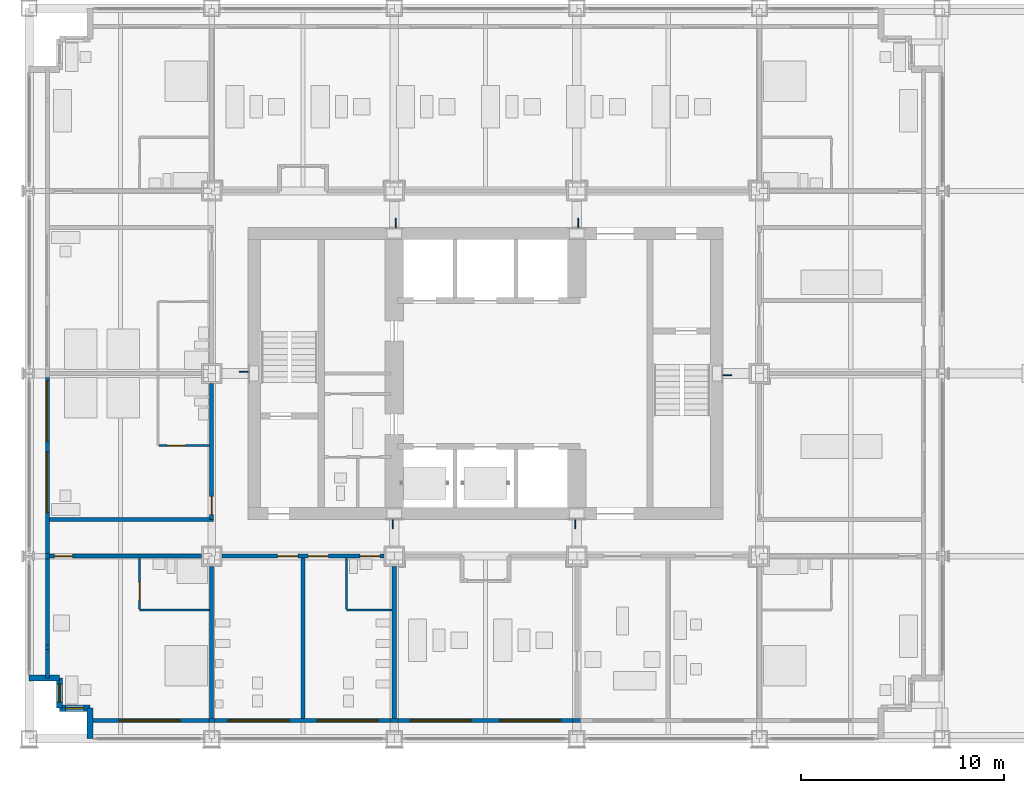
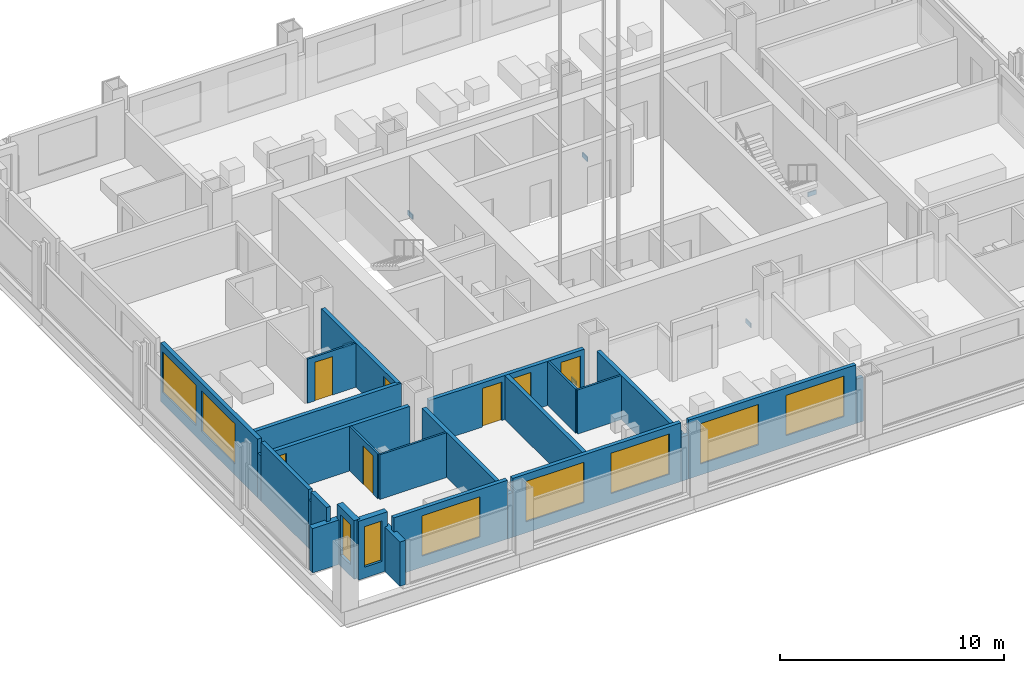
# One storey, part 10 of 19: 27 walls, 9 windows, 7 doors, 6 plates, 16 openings.
"""IFC4 building model written with IfcOpenShell, lengths in metres."""

from ifc_helpers import new_model, si_unit, direction, frame, frame_2d, origin, origin_2d, place, context, subcontext, project, spatial, rectangle, extrude, material, layer, layer_set, type_object, element, fill, save


model = new_model("IFC4")

# Units and contexts
model_context = context("Model", 3, precision=1e-05, world=origin(), true_north=direction((0.0, 1.0)))
body_context = subcontext(model_context, "Body", "Model", "MODEL_VIEW")
ifc_project = project(units=[si_unit("LENGTHUNIT", "METRE"), si_unit("AREAUNIT", "SQUARE_METRE"), si_unit("VOLUMEUNIT", "CUBIC_METRE"), si_unit("PLANEANGLEUNIT", "RADIAN"), si_unit("MASSUNIT", "GRAM", prefix="KILO")], contexts=[model_context])

# Site, building, storey
site_placement = place(None, origin())
site = spatial("IfcSite", under=ifc_project, at=site_placement, CompositionType="ELEMENT")
building_placement = place(site_placement, origin())
building = spatial("IfcBuilding", under=site, at=building_placement, Name="Loomwork Tower", CompositionType="ELEMENT")
storey_placement = place(building_placement, frame((0.0, 0.0, 94.199951171875)))
storey = spatial("IfcBuildingStorey", under=building, at=storey_placement, Name="L24", CompositionType="ELEMENT", Elevation=94.199951171875)

# Plates
ifc_material_1 = material(Name="Steel ASTM A572 Grade 50 plate", Category="steel")
ifc_layer_1 = layer(ifc_material_1, 0.050048828125)
ifc_layer_set_1 = layer_set([ifc_layer_1], Name="OUTRIGGER SHEAR PLATE 50")
plate_type = type_object("IfcPlateType", Name="OUTRIGGER SHEAR PLATE 50", PredefinedType="SHEET", material=ifc_layer_set_1)
for number, where, z_axis, x_axis, name in (
    (1, (26.922119140625, 10.575439453125, -0.61962890625), (0.0, 0.0, 1.0), (0.0, 1.0, 0.0), "Outrigger shear plate 27,9-27,11.1 L24"),
    (2, (34.424560546875, 17.922119140625, -0.61962890625), (0.0, 0.0, 1.0), (1.0, 0.0, 0.0), "Outrigger shear plate 36,18-33.9,18 L24"),
    (3, (27.077880859375, 25.424560546875, -0.61962890625), (0.0, 0.0, 1.0), (0.0, 1.0, 0.0), "Outrigger shear plate 27,27-27,24.9 L24"),
    (4, (17.922119140625, 10.575439453125, -0.61962890625), (0.0, 0.0, 1.0), (0.0, 1.0, 0.0), "Outrigger shear plate 18,9-18,11.1 L24"),
    (5, (18.077880859375, 25.424560546875, -0.61962890625), (0.0, 0.0, 1.0), (0.0, 1.0, 0.0), "Outrigger shear plate 18,27-18,24.9 L24"),
    (6, (10.575439453125, 18.077880859375, -0.61962890625), (0.0, 0.0, 1.0), (1.0, 0.0, 0.0), "Outrigger shear plate 9,18-11.1,18 L24"),
):
    element("IfcPlate", number, at=place(storey_placement, frame(where, z_axis=z_axis, x_axis=x_axis)), inside=storey, type_object=plate_type, Name=name, PredefinedType="SHEET", context=body_context, shape_type="SweptSolid", body=[
        extrude(rectangle(XDim=0.449951171875, YDim=0.050048828125, at=origin_2d()), origin(), (0.0, 0.0, 1.0), 0.239990234375),
    ])

# Wall, opening, door
ifc_material_2 = material(Name="Gypsum board on steel studs, one-hour", Category="steel")
ifc_layer_2 = layer(ifc_material_2, 0.199951171875)
ifc_layer_set_2 = layer_set([ifc_layer_2], Name="Corridor wall 200")
wall_type_1 = type_object("IfcWallType", Name="Corridor wall 200", PredefinedType="PARTITIONING", material=ifc_layer_set_2)
wall_1_placement = place(storey_placement, frame((1.0, 9.0, 0.0), z_axis=(0.0, 0.0, 1.0), x_axis=(1.0, 0.0, 0.0)))
wall_1 = element("IfcWall", 7, at=wall_1_placement, inside=storey, type_object=wall_type_1, Name="South corridor wall 1", PredefinedType="PARTITIONING", context=body_context, shape_type="SweptSolid", body=[
    extrude(rectangle(XDim=7.5, YDim=0.199951171875, at=frame_2d((3.75, 0.0))), origin(), (0.0, 0.0, 1.0), 2.43798828125),
])
opening_1_placement = place(wall_1_placement, frame((0.25, 0.0, 0.0)))
opening_1 = element("IfcOpeningElement", 8, at=opening_1_placement, cuts=wall_1, Name="Opening D1", PredefinedType="OPENING", context=body_context, shape_type="SweptSolid", body=[
    extrude(rectangle(XDim=0.89990234375, YDim=2.10009765625, at=frame_2d((0.449951171875, 1.050048828125))), frame((0.0, 0.10986328125, 0.0), z_axis=(0.0, -1.0, 0.0), x_axis=(1.0, 0.0, 0.0)), (0.0, 0.0, 1.0), 0.219970703125),
])
ifc_material_3 = material(Name="Hollow metal door and frame")
door_type_1 = type_object("IfcDoorType", Name="Guest room entry door 900", OperationType="SINGLE_SWING_LEFT", PredefinedType="DOOR", material=ifc_material_3)
door_1_placement = place(opening_1_placement, frame((0.89990234375, 0.0, 0.0), z_axis=(0.0, 0.0, 1.0), x_axis=(-1.0, 0.0, 0.0)))
door_1 = element("IfcDoor", 9, at=door_1_placement, inside=storey, type_object=door_type_1, Name="Guest room entry door L24 1", OperationType="SINGLE_SWING_RIGHT", OverallHeight=2.10009765625, OverallWidth=0.89990234375, PredefinedType="DOOR", context=body_context, shape_type="SweptSolid", body=[
    extrude(rectangle(XDim=0.89990234375, YDim=2.10009765625, at=frame_2d((0.449951171875, 1.050048828125))), frame((0.0, 0.02490234375, 0.0), z_axis=(0.0, -1.0, 0.0), x_axis=(1.0, 0.0, 0.0)), (0.0, 0.0, 1.0), 0.050048828125),
])
fill(opening_1, door_1)

# Wall, openings, doors
wall_2_placement = place(storey_placement, frame((9.5, 9.0, 0.0), z_axis=(0.0, 0.0, 1.0), x_axis=(1.0, 0.0, 0.0)))
wall_2 = element("IfcWall", 10, at=wall_2_placement, inside=storey, type_object=wall_type_1, Name="South corridor wall 2", PredefinedType="PARTITIONING", context=body_context, shape_type="SweptSolid", body=[
    extrude(rectangle(XDim=8.0, YDim=0.199951171875, at=frame_2d((4.0, 0.0))), origin(), (0.0, 0.0, 1.0), 2.405029296875),
])
opening_2_placement = place(wall_2_placement, frame((2.75, 0.0, 0.0)))
opening_2 = element("IfcOpeningElement", 11, at=opening_2_placement, cuts=wall_2, Name="Opening D8", PredefinedType="OPENING", context=body_context, shape_type="SweptSolid", body=[
    extrude(rectangle(XDim=1.0, YDim=2.10009765625, at=frame_2d((0.5, 1.050048828125))), frame((0.0, 0.10986328125, 0.0), z_axis=(0.0, -1.0, 0.0), x_axis=(1.0, 0.0, 0.0)), (0.0, 0.0, 1.0), 0.219970703125),
])
opening_3_placement = place(wall_2_placement, frame((6.800048828125, 0.0, 0.0)))
opening_3 = element("IfcOpeningElement", 12, at=opening_3_placement, cuts=wall_2, Name="Opening D8", PredefinedType="OPENING", context=body_context, shape_type="SweptSolid", body=[
    extrude(rectangle(XDim=1.0, YDim=2.10009765625, at=frame_2d((0.5, 1.050048828125))), frame((0.0, 0.10986328125, 0.0), z_axis=(0.0, -1.0, 0.0), x_axis=(1.0, 0.0, 0.0)), (0.0, 0.0, 1.0), 0.219970703125),
])
opening_4_placement = place(wall_2_placement, frame((4.25, 0.0, 0.0)))
opening_4 = element("IfcOpeningElement", 13, at=opening_4_placement, cuts=wall_2, Name="Opening D8", PredefinedType="OPENING", context=body_context, shape_type="SweptSolid", body=[
    extrude(rectangle(XDim=1.0, YDim=2.10009765625, at=frame_2d((0.5, 1.050048828125))), frame((0.0, 0.10986328125, 0.0), z_axis=(0.0, -1.0, 0.0), x_axis=(1.0, 0.0, 0.0)), (0.0, 0.0, 1.0), 0.219970703125),
])
ifc_material_4 = material(Name="Hollow metal door and frame")
door_type_2 = type_object("IfcDoorType", Name="WC door 1000", OperationType="SINGLE_SWING_LEFT", PredefinedType="DOOR", material=ifc_material_4)
door_2_placement = place(opening_2_placement, frame((1.0, 0.0, 0.0), z_axis=(0.0, 0.0, 1.0), x_axis=(-1.0, 0.0, 0.0)))
door_2 = element("IfcDoor", 14, at=door_2_placement, inside=storey, type_object=door_type_2, Name="Public WC men door L24", OperationType="SINGLE_SWING_LEFT", OverallHeight=2.10009765625, OverallWidth=1.0, PredefinedType="DOOR", context=body_context, shape_type="SweptSolid", body=[
    extrude(rectangle(XDim=1.0, YDim=2.10009765625, at=frame_2d((0.5, 1.050048828125))), frame((0.0, 0.02490234375, 0.0), z_axis=(0.0, -1.0, 0.0), x_axis=(1.0, 0.0, 0.0)), (0.0, 0.0, 1.0), 0.050048828125),
])
fill(opening_2, door_2)
door_3_placement = place(opening_3_placement, frame((1.0, 0.0, 0.0), z_axis=(0.0, 0.0, 1.0), x_axis=(-1.0, 0.0, 0.0)))
door_3 = element("IfcDoor", 15, at=door_3_placement, inside=storey, type_object=door_type_2, Name="Accessible WC door L24", OperationType="SINGLE_SWING_RIGHT", OverallHeight=2.10009765625, OverallWidth=1.0, PredefinedType="DOOR", context=body_context, shape_type="SweptSolid", body=[
    extrude(rectangle(XDim=1.0, YDim=2.10009765625, at=frame_2d((0.5, 1.050048828125))), frame((0.0, 0.02490234375, 0.0), z_axis=(0.0, -1.0, 0.0), x_axis=(1.0, 0.0, 0.0)), (0.0, 0.0, 1.0), 0.050048828125),
])
fill(opening_3, door_3)
door_4_placement = place(opening_4_placement, frame((1.0, 0.0, 0.0), z_axis=(0.0, 0.0, 1.0), x_axis=(-1.0, 0.0, 0.0)))
door_4 = element("IfcDoor", 16, at=door_4_placement, inside=storey, type_object=door_type_2, Name="Public WC women door L24", OperationType="SINGLE_SWING_RIGHT", OverallHeight=2.10009765625, OverallWidth=1.0, PredefinedType="DOOR", context=body_context, shape_type="SweptSolid", body=[
    extrude(rectangle(XDim=1.0, YDim=2.10009765625, at=frame_2d((0.5, 1.050048828125))), frame((0.0, 0.02490234375, 0.0), z_axis=(0.0, -1.0, 0.0), x_axis=(1.0, 0.0, 0.0)), (0.0, 0.0, 1.0), 0.050048828125),
])
fill(opening_4, door_4)

# Wall, opening, door
wall_3_placement = place(storey_placement, frame((9.0, 10.800048828125, 0.0), z_axis=(0.0, 0.0, 1.0), x_axis=(0.0, 1.0, 0.0)))
wall_3 = element("IfcWall", 17, at=wall_3_placement, inside=storey, type_object=wall_type_1, Name="West corridor wall 1", PredefinedType="PARTITIONING", context=body_context, shape_type="SweptSolid", body=[
    extrude(rectangle(XDim=6.699951171875, YDim=0.199951171875, at=frame_2d((3.35009765625, 0.0))), origin(), (0.0, 0.0, 1.0), 2.405029296875),
])
opening_5_placement = place(wall_3_placement, frame((0.25, 0.0, 0.0)))
opening_5 = element("IfcOpeningElement", 18, at=opening_5_placement, cuts=wall_3, Name="Opening D1", PredefinedType="OPENING", context=body_context, shape_type="SweptSolid", body=[
    extrude(rectangle(XDim=0.89990234375, YDim=2.10009765625, at=frame_2d((0.449951171875, 1.050048828125))), frame((0.0, 0.10986328125, 0.0), z_axis=(0.0, -1.0, 0.0), x_axis=(1.0, 0.0, 0.0)), (0.0, 0.0, 1.0), 0.219970703125),
])
door_5_placement = place(opening_5_placement, origin())
door_5 = element("IfcDoor", 19, at=door_5_placement, inside=storey, type_object=door_type_1, Name="Guest room entry door L24 11", OperationType="SINGLE_SWING_LEFT", OverallHeight=2.10009765625, OverallWidth=0.89990234375, PredefinedType="DOOR", context=body_context, shape_type="SweptSolid", body=[
    extrude(rectangle(XDim=0.89990234375, YDim=2.10009765625, at=frame_2d((0.449951171875, 1.050048828125))), frame((0.0, 0.02490234375, 0.0), z_axis=(0.0, -1.0, 0.0), x_axis=(1.0, 0.0, 0.0)), (0.0, 0.0, 1.0), 0.050048828125),
])
fill(opening_5, door_5)

# Walls
wall_4_placement = place(storey_placement, frame((1.0, 10.800048828125, 0.0), z_axis=(0.0, 0.0, 1.0), x_axis=(1.0, 0.0, 0.0)))
element("IfcWall", 20, at=wall_4_placement, inside=storey, type_object=wall_type_1, Name="West band end wall S", PredefinedType="PARTITIONING", context=body_context, shape_type="SweptSolid", body=[
    extrude(rectangle(XDim=8.10009765625, YDim=0.199951171875, at=frame_2d((4.050048828125, 0.0))), origin(), (0.0, 0.0, 1.0), 2.404052734375),
])
ifc_material_5 = material(Name="Cement board on steel studs", Category="steel")
ifc_layer_3 = layer(ifc_material_5, 0.10009765625)
ifc_layer_set_3 = layer_set([ifc_layer_3], Name="En-suite partition 100")
wall_type_2 = type_object("IfcWallType", Name="En-suite partition 100", PredefinedType="PARTITIONING", material=ifc_layer_set_3)
wall_5_placement = place(storey_placement, frame((5.449951171875, 6.35009765625, 0.0), z_axis=(0.0, 0.0, 1.0), x_axis=(1.0, 0.0, 0.0)))
element("IfcWall", 21, at=wall_5_placement, inside=storey, type_object=wall_type_2, Name="En-suite wall L24 room 1", PredefinedType="PARTITIONING", context=body_context, shape_type="SweptSolid", body=[
    extrude(rectangle(XDim=3.449951171875, YDim=0.10009765625, at=frame_2d((1.72509765625, 0.0))), origin(), (0.0, 0.0, 1.0), 2.43798828125),
])

# Wall, opening, door
wall_6_placement = place(storey_placement, frame((5.449951171875, 8.89990234375, 0.0), z_axis=(0.0, 0.0, 1.0), x_axis=(0.0, -1.0, 0.0)))
wall_6 = element("IfcWall", 22, at=wall_6_placement, inside=storey, type_object=wall_type_2, Name="En-suite side wall L24 room 1", PredefinedType="PARTITIONING", context=body_context, shape_type="SweptSolid", body=[
    extrude(rectangle(XDim=2.5, YDim=0.10009765625, at=frame_2d((1.25, 0.0))), origin(), (0.0, 0.0, 1.0), 2.43798828125),
])
opening_6_placement = place(wall_6_placement, frame((1.199951171875, 0.0, 0.0)))
opening_6 = element("IfcOpeningElement", 23, at=opening_6_placement, cuts=wall_6, Name="Opening D3", PredefinedType="OPENING", context=body_context, shape_type="SweptSolid", body=[
    extrude(rectangle(XDim=0.89990234375, YDim=2.10009765625, at=frame_2d((0.449951171875, 1.050048828125))), frame((0.0, 0.06005859375, 0.0), z_axis=(0.0, -1.0, 0.0), x_axis=(1.0, 0.0, 0.0)), (0.0, 0.0, 1.0), 0.1201171875),
])
ifc_material_6 = material(Name="Hollow metal door and frame")
door_type_3 = type_object("IfcDoorType", Name="Accessible en-suite door 900", OperationType="SLIDING_TO_LEFT", PredefinedType="DOOR", material=ifc_material_6)
door_6_placement = place(opening_6_placement, origin())
door_6 = element("IfcDoor", 24, at=door_6_placement, inside=storey, type_object=door_type_3, Name="Accessible en-suite door room 1", OperationType="SLIDING_TO_LEFT", OverallHeight=2.10009765625, OverallWidth=0.89990234375, PredefinedType="DOOR", context=body_context, shape_type="SweptSolid", body=[
    extrude(rectangle(XDim=0.89990234375, YDim=2.10009765625, at=frame_2d((0.449951171875, 1.050048828125))), frame((0.0, 0.02490234375, 0.0), z_axis=(0.0, -1.0, 0.0), x_axis=(1.0, 0.0, 0.0)), (0.0, 0.0, 1.0), 0.050048828125),
])
fill(opening_6, door_6)

# Walls
wall_7_placement = place(storey_placement, frame((15.64990234375, 6.35009765625, 0.0), z_axis=(0.0, 0.0, 1.0), x_axis=(1.0, 0.0, 0.0)))
element("IfcWall", 25, at=wall_7_placement, inside=storey, type_object=wall_type_2, Name="Accessible WC wall L24", PredefinedType="PARTITIONING", context=body_context, shape_type="SweptSolid", body=[
    extrude(rectangle(XDim=2.25, YDim=0.10009765625, at=frame_2d((1.125, 0.0))), origin(), (0.0, 0.0, 1.0), 2.404052734375),
])
wall_8_placement = place(storey_placement, frame((15.64990234375, 8.89990234375, 0.0), z_axis=(0.0, 0.0, 1.0), x_axis=(0.0, -1.0, 0.0)))
element("IfcWall", 26, at=wall_8_placement, inside=storey, type_object=wall_type_2, Name="Accessible WC side wall L24", PredefinedType="PARTITIONING", context=body_context, shape_type="SweptSolid", body=[
    extrude(rectangle(XDim=2.5, YDim=0.10009765625, at=frame_2d((1.25, 0.0))), origin(), (0.0, 0.0, 1.0), 2.404052734375),
])

# Wall, opening, door
wall_9_placement = place(storey_placement, frame((8.89990234375, 14.449951171875, 0.0), z_axis=(0.0, 0.0, 1.0), x_axis=(-1.0, 0.0, 0.0)))
wall_9 = element("IfcWall", 27, at=wall_9_placement, inside=storey, type_object=wall_type_2, Name="En-suite side wall L24 room 11", PredefinedType="PARTITIONING", context=body_context, shape_type="SweptSolid", body=[
    extrude(rectangle(XDim=2.5, YDim=0.10009765625, at=frame_2d((1.25, 0.0))), origin(), (0.0, 0.0, 1.0), 2.404052734375),
])
opening_7_placement = place(wall_9_placement, frame((1.199951171875, 0.0, 0.0)))
opening_7 = element("IfcOpeningElement", 28, at=opening_7_placement, cuts=wall_9, Name="Opening D2", PredefinedType="OPENING", context=body_context, shape_type="SweptSolid", body=[
    extrude(rectangle(XDim=0.89990234375, YDim=2.10009765625, at=frame_2d((0.449951171875, 1.050048828125))), frame((0.0, 0.06005859375, 0.0), z_axis=(0.0, -1.0, 0.0), x_axis=(1.0, 0.0, 0.0)), (0.0, 0.0, 1.0), 0.1201171875),
])
ifc_material_7 = material(Name="Hollow metal door and frame")
door_type_4 = type_object("IfcDoorType", Name="En-suite door 900", OperationType="SINGLE_SWING_LEFT", PredefinedType="DOOR", material=ifc_material_7)
door_7_placement = place(opening_7_placement, frame((0.89990234375, 0.0, 0.0), z_axis=(0.0, 0.0, 1.0), x_axis=(-1.0, 0.0, 0.0)))
door_7 = element("IfcDoor", 29, at=door_7_placement, inside=storey, type_object=door_type_4, Name="En-suite door room 11", OperationType="SINGLE_SWING_LEFT", OverallHeight=2.10009765625, OverallWidth=0.89990234375, PredefinedType="DOOR", context=body_context, shape_type="SweptSolid", body=[
    extrude(rectangle(XDim=0.89990234375, YDim=2.10009765625, at=frame_2d((0.449951171875, 1.050048828125))), frame((0.0, 0.02490234375, 0.0), z_axis=(0.0, -1.0, 0.0), x_axis=(1.0, 0.0, 0.0)), (0.0, 0.0, 1.0), 0.050048828125),
])
fill(opening_7, door_7)

# Walls
ifc_material_8 = material(Name="Gypsum board on steel studs, acoustic", Category="steel")
ifc_layer_4 = layer(ifc_material_8, 0.199951171875)
ifc_layer_set_4 = layer_set([ifc_layer_4], Name="Guest room party wall 200")
wall_type_3 = type_object("IfcWallType", Name="Guest room party wall 200", PredefinedType="PARTITIONING", material=ifc_layer_set_4)
wall_10_placement = place(storey_placement, frame((9.0, 8.5, 0.0), z_axis=(0.0, 0.0, 1.0), x_axis=(0.0, -1.0, 0.0)))
element("IfcWall", 30, at=wall_10_placement, inside=storey, type_object=wall_type_3, Name="Guest room party wall S 9", PredefinedType="PARTITIONING", context=body_context, shape_type="SweptSolid", body=[
    extrude(rectangle(XDim=7.5, YDim=0.199951171875, at=frame_2d((3.75, 0.0))), origin(), (0.0, 0.0, 1.0), 2.43798828125),
])
wall_11_placement = place(storey_placement, frame((18.0, 8.5, 0.0), z_axis=(0.0, 0.0, 1.0), x_axis=(0.0, -1.0, 0.0)))
element("IfcWall", 31, at=wall_11_placement, inside=storey, type_object=wall_type_3, Name="Guest room party wall S 18", PredefinedType="PARTITIONING", context=body_context, shape_type="SweptSolid", body=[
    extrude(rectangle(XDim=7.5, YDim=0.199951171875, at=frame_2d((3.75, 0.0))), origin(), (0.0, 0.0, 1.0), 2.405029296875),
])
wall_12_placement = place(storey_placement, frame((13.5, 8.89990234375, 0.0), z_axis=(0.0, 0.0, 1.0), x_axis=(0.0, -1.0, 0.0)))
element("IfcWall", 32, at=wall_12_placement, inside=storey, type_object=wall_type_3, Name="Toilet partition S 13.5", PredefinedType="PARTITIONING", context=body_context, shape_type="SweptSolid", body=[
    extrude(rectangle(XDim=7.89990234375, YDim=0.199951171875, at=frame_2d((3.949951171875, 0.0))), origin(), (0.0, 0.0, 1.0), 2.404052734375),
])

# Wall, opening, window
ifc_material_9 = material(Name="Insulated steel stud wall with gypsum lining", Category="steel")
ifc_layer_5 = layer(ifc_material_9, 0.199951171875)
ifc_layer_set_5 = layer_set([ifc_layer_5], Name="Inner skin wall 200")
wall_type_4 = type_object("IfcWallType", Name="Inner skin wall 200", PredefinedType="SOLIDWALL", material=ifc_layer_set_5)
wall_13_placement = place(storey_placement, frame((3.0, 0.89990234375, 0.0), z_axis=(0.0, 0.0, 1.0), x_axis=(1.0, 0.0, 0.0)))
wall_13 = element("IfcWall", 33, at=wall_13_placement, inside=storey, type_object=wall_type_4, Name="Inner skin wall S", PredefinedType="SOLIDWALL", context=body_context, shape_type="SweptSolid", body=[
    extrude(rectangle(XDim=5.86474609375, YDim=0.199951171875, at=frame_2d((2.932373046875, 0.0))), origin(), (0.0, 0.0, 1.0), 3.199951171875),
])
opening_8_placement = place(wall_13_placement, frame((1.449951171875, 0.0, 0.60009765625)))
opening_8 = element("IfcOpeningElement", 34, at=opening_8_placement, cuts=wall_13, Name="Opening CH1", PredefinedType="OPENING", context=body_context, shape_type="SweptSolid", body=[
    extrude(rectangle(XDim=3.0, YDim=2.199951171875, at=frame_2d((1.5, 1.10009765625))), frame((0.0, 0.10986328125, 0.0), z_axis=(0.0, -1.0, 0.0), x_axis=(1.0, 0.0, 0.0)), (0.0, 0.0, 1.0), 0.219970703125),
])
ifc_material_10 = material(Name="Aluminium frame with clear insulated glass", Category="aluminium")
window_type_1 = type_object("IfcWindowType", Name="Chicago window 3000", PartitioningType="TRIPLE_PANEL_VERTICAL", PredefinedType="WINDOW", material=ifc_material_10)
window_1_placement = place(opening_8_placement, origin())
window_1 = element("IfcWindow", 35, at=window_1_placement, inside=storey, type_object=window_type_1, Name="Chicago window L24 bay 1", OverallHeight=2.199951171875, OverallWidth=3.0, PartitioningType="TRIPLE_PANEL_VERTICAL", PredefinedType="WINDOW", context=body_context, shape_type="SweptSolid", body=[
    extrude(rectangle(XDim=3.0, YDim=2.199951171875, at=frame_2d((1.5, 1.10009765625))), frame((0.0, 0.030029296875, 0.0), z_axis=(0.0, -1.0, 0.0), x_axis=(1.0, 0.0, 0.0)), (0.0, 0.0, 1.0), 0.06005859375),
])
fill(opening_8, window_1)

# Walls
wall_14_placement = place(storey_placement, frame((0.89990234375, 3.0, 0.0), z_axis=(0.0, 0.0, 1.0), x_axis=(0.0, 1.0, 0.0)))
element("IfcWall", 36, at=wall_14_placement, inside=storey, type_object=wall_type_4, Name="Inner skin wall W", PredefinedType="SOLIDWALL", context=body_context, shape_type="SweptSolid", body=[
    extrude(rectangle(XDim=1.392578125, YDim=0.199951171875, at=frame_2d((0.6962890625, 0.0))), origin(), (0.0, 0.0, 1.0), 3.199951171875),
])
wall_15_placement = place(storey_placement, frame((8.86474609375, 0.89990234375, 0.0), z_axis=(0.0, 0.0, 1.0), x_axis=(1.0, 0.0, 0.0)))
element("IfcWall", 37, at=wall_15_placement, inside=storey, type_object=wall_type_4, Name="Inner skin wall S bay 2", PredefinedType="SOLIDWALL", context=body_context, shape_type="SweptSolid", body=[
    extrude(rectangle(XDim=0.2705078125, YDim=0.199951171875, at=frame_2d((0.13525390625, 0.0))), origin(), (0.0, 0.0, 1.0), 2.43798828125),
])

# Wall, openings, windows
wall_16_placement = place(storey_placement, frame((9.13525390625, 0.89990234375, 0.0), z_axis=(0.0, 0.0, 1.0), x_axis=(1.0, 0.0, 0.0)))
wall_16 = element("IfcWall", 38, at=wall_16_placement, inside=storey, type_object=wall_type_4, Name="Inner skin wall S bay 3", PredefinedType="SOLIDWALL", context=body_context, shape_type="SweptSolid", body=[
    extrude(rectangle(XDim=8.6708984375, YDim=0.199951171875, at=frame_2d((4.33544921875, 0.0))), origin(), (0.0, 0.0, 1.0), 3.199951171875),
])
opening_9_placement = place(wall_16_placement, frame((0.664794921875, 0.0, 0.60009765625)))
opening_9 = element("IfcOpeningElement", 39, at=opening_9_placement, cuts=wall_16, Name="Opening CH1", PredefinedType="OPENING", context=body_context, shape_type="SweptSolid", body=[
    extrude(rectangle(XDim=3.0, YDim=2.199951171875, at=frame_2d((1.5, 1.10009765625))), frame((0.0, 0.10986328125, 0.0), z_axis=(0.0, -1.0, 0.0), x_axis=(1.0, 0.0, 0.0)), (0.0, 0.0, 1.0), 0.219970703125),
])
opening_10_placement = place(wall_16_placement, frame((5.064697265625, 0.0, 0.60009765625)))
opening_10 = element("IfcOpeningElement", 40, at=opening_10_placement, cuts=wall_16, Name="Opening CH1", PredefinedType="OPENING", context=body_context, shape_type="SweptSolid", body=[
    extrude(rectangle(XDim=3.0, YDim=2.199951171875, at=frame_2d((1.5, 1.10009765625))), frame((0.0, 0.10986328125, 0.0), z_axis=(0.0, -1.0, 0.0), x_axis=(1.0, 0.0, 0.0)), (0.0, 0.0, 1.0), 0.219970703125),
])
window_2_placement = place(opening_9_placement, origin())
window_2 = element("IfcWindow", 41, at=window_2_placement, inside=storey, type_object=window_type_1, Name="Chicago window L24 bay 2", OverallHeight=2.199951171875, OverallWidth=3.0, PartitioningType="TRIPLE_PANEL_VERTICAL", PredefinedType="WINDOW", context=body_context, shape_type="SweptSolid", body=[
    extrude(rectangle(XDim=3.0, YDim=2.199951171875, at=frame_2d((1.5, 1.10009765625))), frame((0.0, 0.030029296875, 0.0), z_axis=(0.0, -1.0, 0.0), x_axis=(1.0, 0.0, 0.0)), (0.0, 0.0, 1.0), 0.06005859375),
])
fill(opening_9, window_2)
window_3_placement = place(opening_10_placement, origin())
window_3 = element("IfcWindow", 42, at=window_3_placement, inside=storey, type_object=window_type_1, Name="Chicago window L24 bay 2", OverallHeight=2.199951171875, OverallWidth=3.0, PartitioningType="TRIPLE_PANEL_VERTICAL", PredefinedType="WINDOW", context=body_context, shape_type="SweptSolid", body=[
    extrude(rectangle(XDim=3.0, YDim=2.199951171875, at=frame_2d((1.5, 1.10009765625))), frame((0.0, 0.030029296875, 0.0), z_axis=(0.0, -1.0, 0.0), x_axis=(1.0, 0.0, 0.0)), (0.0, 0.0, 1.0), 0.06005859375),
])
fill(opening_10, window_3)

# Wall
wall_17_placement = place(storey_placement, frame((17.80615234375, 0.89990234375, 0.0), z_axis=(0.0, 0.0, 1.0), x_axis=(1.0, 0.0, 0.0)))
element("IfcWall", 43, at=wall_17_placement, inside=storey, type_object=wall_type_4, Name="Inner skin wall S bay 4", PredefinedType="SOLIDWALL", context=body_context, shape_type="SweptSolid", body=[
    extrude(rectangle(XDim=0.3876953125, YDim=0.199951171875, at=frame_2d((0.19384765625, 0.0))), origin(), (0.0, 0.0, 1.0), 2.404052734375),
])

# Wall, openings, windows
wall_18_placement = place(storey_placement, frame((18.19384765625, 0.89990234375, 0.0), z_axis=(0.0, 0.0, 1.0), x_axis=(1.0, 0.0, 0.0)))
wall_18 = element("IfcWall", 44, at=wall_18_placement, inside=storey, type_object=wall_type_4, Name="Inner skin wall S bay 5", PredefinedType="SOLIDWALL", context=body_context, shape_type="SweptSolid", body=[
    extrude(rectangle(XDim=8.6123046875, YDim=0.199951171875, at=frame_2d((4.30615234375, 0.0))), origin(), (0.0, 0.0, 1.0), 3.199951171875),
])
opening_11_placement = place(wall_18_placement, frame((0.606201171875, 0.0, 0.60009765625)))
opening_11 = element("IfcOpeningElement", 45, at=opening_11_placement, cuts=wall_18, Name="Opening CH1", PredefinedType="OPENING", context=body_context, shape_type="SweptSolid", body=[
    extrude(rectangle(XDim=3.0, YDim=2.199951171875, at=frame_2d((1.5, 1.10009765625))), frame((0.0, 0.10986328125, 0.0), z_axis=(0.0, -1.0, 0.0), x_axis=(1.0, 0.0, 0.0)), (0.0, 0.0, 1.0), 0.219970703125),
])
opening_12_placement = place(wall_18_placement, frame((5.006103515625, 0.0, 0.60009765625)))
opening_12 = element("IfcOpeningElement", 46, at=opening_12_placement, cuts=wall_18, Name="Opening CH1", PredefinedType="OPENING", context=body_context, shape_type="SweptSolid", body=[
    extrude(rectangle(XDim=3.0, YDim=2.199951171875, at=frame_2d((1.5, 1.10009765625))), frame((0.0, 0.10986328125, 0.0), z_axis=(0.0, -1.0, 0.0), x_axis=(1.0, 0.0, 0.0)), (0.0, 0.0, 1.0), 0.219970703125),
])
window_4_placement = place(opening_11_placement, origin())
window_4 = element("IfcWindow", 47, at=window_4_placement, inside=storey, type_object=window_type_1, Name="Chicago window L24 bay 3", OverallHeight=2.199951171875, OverallWidth=3.0, PartitioningType="TRIPLE_PANEL_VERTICAL", PredefinedType="WINDOW", context=body_context, shape_type="SweptSolid", body=[
    extrude(rectangle(XDim=3.0, YDim=2.199951171875, at=frame_2d((1.5, 1.10009765625))), frame((0.0, 0.030029296875, 0.0), z_axis=(0.0, -1.0, 0.0), x_axis=(1.0, 0.0, 0.0)), (0.0, 0.0, 1.0), 0.06005859375),
])
fill(opening_11, window_4)
window_5_placement = place(opening_12_placement, origin())
window_5 = element("IfcWindow", 48, at=window_5_placement, inside=storey, type_object=window_type_1, Name="Chicago window L24 bay 3", OverallHeight=2.199951171875, OverallWidth=3.0, PartitioningType="TRIPLE_PANEL_VERTICAL", PredefinedType="WINDOW", context=body_context, shape_type="SweptSolid", body=[
    extrude(rectangle(XDim=3.0, YDim=2.199951171875, at=frame_2d((1.5, 1.10009765625))), frame((0.0, 0.030029296875, 0.0), z_axis=(0.0, -1.0, 0.0), x_axis=(1.0, 0.0, 0.0)), (0.0, 0.0, 1.0), 0.06005859375),
])
fill(opening_12, window_5)

# Walls
wall_19_placement = place(storey_placement, frame((26.80615234375, 0.89990234375, 0.0), z_axis=(0.0, 0.0, 1.0), x_axis=(1.0, 0.0, 0.0)))
element("IfcWall", 49, at=wall_19_placement, inside=storey, type_object=wall_type_4, Name="Inner skin wall S bay 6", PredefinedType="SOLIDWALL", context=body_context, shape_type="SweptSolid", body=[
    extrude(rectangle(XDim=0.3876953125, YDim=0.199951171875, at=frame_2d((0.19384765625, 0.0))), origin(), (0.0, 0.0, 1.0), 2.404052734375),
])
wall_20_placement = place(storey_placement, frame((0.89990234375, 4.392578125, 0.0), z_axis=(0.0, 0.0, 1.0), x_axis=(0.0, 1.0, 0.0)))
element("IfcWall", 50, at=wall_20_placement, inside=storey, type_object=wall_type_4, Name="Inner skin wall W bay 2", PredefinedType="SOLIDWALL", context=body_context, shape_type="SweptSolid", body=[
    extrude(rectangle(XDim=0.21484375, YDim=0.199951171875, at=frame_2d((0.107421875, 0.0))), origin(), (0.0, 0.0, 1.0), 2.6611328125),
])
wall_21_placement = place(storey_placement, frame((0.89990234375, 4.607421875, 0.0), z_axis=(0.0, 0.0, 1.0), x_axis=(0.0, 1.0, 0.0)))
element("IfcWall", 51, at=wall_21_placement, inside=storey, type_object=wall_type_4, Name="Inner skin wall W bay 3", PredefinedType="SOLIDWALL", context=body_context, shape_type="SweptSolid", body=[
    extrude(rectangle(XDim=4.25732421875, YDim=0.199951171875, at=frame_2d((2.128662109375, 0.0))), origin(), (0.0, 0.0, 1.0), 3.199951171875),
])
wall_22_placement = place(storey_placement, frame((0.89990234375, 8.86474609375, 0.0), z_axis=(0.0, 0.0, 1.0), x_axis=(0.0, 1.0, 0.0)))
element("IfcWall", 52, at=wall_22_placement, inside=storey, type_object=wall_type_4, Name="Inner skin wall W bay 4", PredefinedType="SOLIDWALL", context=body_context, shape_type="SweptSolid", body=[
    extrude(rectangle(XDim=0.2705078125, YDim=0.199951171875, at=frame_2d((0.13525390625, 0.0))), origin(), (0.0, 0.0, 1.0), 2.43798828125),
])

# Wall, openings, windows
wall_23_placement = place(storey_placement, frame((0.89990234375, 9.13525390625, 0.0), z_axis=(0.0, 0.0, 1.0), x_axis=(0.0, 1.0, 0.0)))
wall_23 = element("IfcWall", 53, at=wall_23_placement, inside=storey, type_object=wall_type_4, Name="Inner skin wall W bay 5", PredefinedType="SOLIDWALL", context=body_context, shape_type="SweptSolid", body=[
    extrude(rectangle(XDim=8.6708984375, YDim=0.199951171875, at=frame_2d((4.33544921875, 0.0))), origin(), (0.0, 0.0, 1.0), 3.199951171875),
])
opening_13_placement = place(wall_23_placement, frame((2.0146484375, 0.0, 0.60009765625)))
opening_13 = element("IfcOpeningElement", 54, at=opening_13_placement, cuts=wall_23, Name="Opening CH1", PredefinedType="OPENING", context=body_context, shape_type="SweptSolid", body=[
    extrude(rectangle(XDim=3.0, YDim=2.199951171875, at=frame_2d((1.5, 1.10009765625))), frame((0.0, 0.10986328125, 0.0), z_axis=(0.0, -1.0, 0.0), x_axis=(1.0, 0.0, 0.0)), (0.0, 0.0, 1.0), 0.219970703125),
])
opening_14_placement = place(wall_23_placement, frame((5.5146484375, 0.0, 0.60009765625)))
opening_14 = element("IfcOpeningElement", 55, at=opening_14_placement, cuts=wall_23, Name="Opening CH1", PredefinedType="OPENING", context=body_context, shape_type="SweptSolid", body=[
    extrude(rectangle(XDim=3.0, YDim=2.199951171875, at=frame_2d((1.5, 1.10009765625))), frame((0.0, 0.10986328125, 0.0), z_axis=(0.0, -1.0, 0.0), x_axis=(1.0, 0.0, 0.0)), (0.0, 0.0, 1.0), 0.219970703125),
])
window_6_placement = place(opening_13_placement, origin())
window_6 = element("IfcWindow", 56, at=window_6_placement, inside=storey, type_object=window_type_1, Name="Chicago window L24 bay 11", OverallHeight=2.199951171875, OverallWidth=3.0, PartitioningType="TRIPLE_PANEL_VERTICAL", PredefinedType="WINDOW", context=body_context, shape_type="SweptSolid", body=[
    extrude(rectangle(XDim=3.0, YDim=2.199951171875, at=frame_2d((1.5, 1.10009765625))), frame((0.0, 0.030029296875, 0.0), z_axis=(0.0, -1.0, 0.0), x_axis=(1.0, 0.0, 0.0)), (0.0, 0.0, 1.0), 0.06005859375),
])
fill(opening_13, window_6)
window_7_placement = place(opening_14_placement, origin())
window_7 = element("IfcWindow", 57, at=window_7_placement, inside=storey, type_object=window_type_1, Name="Chicago window L24 bay 11", OverallHeight=2.199951171875, OverallWidth=3.0, PartitioningType="TRIPLE_PANEL_VERTICAL", PredefinedType="WINDOW", context=body_context, shape_type="SweptSolid", body=[
    extrude(rectangle(XDim=3.0, YDim=2.199951171875, at=frame_2d((1.5, 1.10009765625))), frame((0.0, 0.030029296875, 0.0), z_axis=(0.0, -1.0, 0.0), x_axis=(1.0, 0.0, 0.0)), (0.0, 0.0, 1.0), 0.06005859375),
])
fill(opening_14, window_7)

# Wall
ifc_material_11 = material(Name="Limestone on concrete masonry", Category="masonry")
ifc_layer_6 = layer(ifc_material_11, 0.300048828125)
ifc_layer_set_6 = layer_set([ifc_layer_6], Name="Limestone corner wall 300")
wall_type_5 = type_object("IfcWallType", Name="Limestone corner wall 300", PredefinedType="SOLIDWALL", material=ifc_layer_set_6)
wall_24_placement = place(storey_placement, frame((0.0, 3.0, 0.0), z_axis=(0.0, 0.0, 1.0), x_axis=(1.0, 0.0, 0.0)))
element("IfcWall", 58, at=wall_24_placement, inside=storey, type_object=wall_type_5, Name="Stone corner wall SW 1", PredefinedType="SOLIDWALL", context=body_context, shape_type="SweptSolid", body=[
    extrude(rectangle(XDim=1.5, YDim=0.300048828125, at=frame_2d((0.75, 0.0))), origin(), (0.0, 0.0, 1.0), 2.420166015625),
])

# Wall, opening, window
wall_25_placement = place(storey_placement, frame((1.5, 3.0, 0.0), z_axis=(0.0, 0.0, 1.0), x_axis=(0.0, -1.0, 0.0)))
wall_25 = element("IfcWall", 59, at=wall_25_placement, inside=storey, type_object=wall_type_5, Name="Stone corner wall SW 2", PredefinedType="SOLIDWALL", context=body_context, shape_type="SweptSolid", body=[
    extrude(rectangle(XDim=1.5, YDim=0.300048828125, at=frame_2d((0.75, 0.0))), origin(), (0.0, 0.0, 1.0), 3.199951171875),
])
opening_15_placement = place(wall_25_placement, frame((0.300048828125, 0.0, 0.60009765625)))
opening_15 = element("IfcOpeningElement", 60, at=opening_15_placement, cuts=wall_25, Name="Opening CH2", PredefinedType="OPENING", context=body_context, shape_type="SweptSolid", body=[
    extrude(rectangle(XDim=0.89990234375, YDim=2.199951171875, at=frame_2d((0.449951171875, 1.10009765625))), frame((0.0, 0.159912109375, 0.0), z_axis=(0.0, -1.0, 0.0), x_axis=(1.0, 0.0, 0.0)), (0.0, 0.0, 1.0), 0.320068359375),
])
ifc_material_12 = material(Name="Aluminium frame with clear insulated glass", Category="aluminium")
window_type_2 = type_object("IfcWindowType", Name="Corner window 900", PartitioningType="SINGLE_PANEL", PredefinedType="WINDOW", material=ifc_material_12)
window_8_placement = place(opening_15_placement, origin())
window_8 = element("IfcWindow", 61, at=window_8_placement, inside=storey, type_object=window_type_2, Name="Corner window SW", OverallHeight=2.199951171875, OverallWidth=0.89990234375, PartitioningType="SINGLE_PANEL", PredefinedType="WINDOW", context=body_context, shape_type="SweptSolid", body=[
    extrude(rectangle(XDim=0.89990234375, YDim=2.199951171875, at=frame_2d((0.449951171875, 1.10009765625))), frame((0.0, 0.030029296875, 0.0), z_axis=(0.0, -1.0, 0.0), x_axis=(1.0, 0.0, 0.0)), (0.0, 0.0, 1.0), 0.06005859375),
])
fill(opening_15, window_8)

wall_26_placement = place(storey_placement, frame((1.5, 1.5, 0.0), z_axis=(0.0, 0.0, 1.0), x_axis=(1.0, 0.0, 0.0)))
wall_26 = element("IfcWall", 62, at=wall_26_placement, inside=storey, type_object=wall_type_5, Name="Stone corner wall SW 3", PredefinedType="SOLIDWALL", context=body_context, shape_type="SweptSolid", body=[
    extrude(rectangle(XDim=1.5, YDim=0.300048828125, at=frame_2d((0.75, 0.0))), origin(), (0.0, 0.0, 1.0), 3.199951171875),
])
opening_16_placement = place(wall_26_placement, frame((0.300048828125, 0.0, 0.60009765625)))
opening_16 = element("IfcOpeningElement", 63, at=opening_16_placement, cuts=wall_26, Name="Opening CH2", PredefinedType="OPENING", context=body_context, shape_type="SweptSolid", body=[
    extrude(rectangle(XDim=0.89990234375, YDim=2.199951171875, at=frame_2d((0.449951171875, 1.10009765625))), frame((0.0, 0.159912109375, 0.0), z_axis=(0.0, -1.0, 0.0), x_axis=(1.0, 0.0, 0.0)), (0.0, 0.0, 1.0), 0.320068359375),
])
window_9_placement = place(opening_16_placement, origin())
window_9 = element("IfcWindow", 64, at=window_9_placement, inside=storey, type_object=window_type_2, Name="Corner window SW", OverallHeight=2.199951171875, OverallWidth=0.89990234375, PartitioningType="SINGLE_PANEL", PredefinedType="WINDOW", context=body_context, shape_type="SweptSolid", body=[
    extrude(rectangle(XDim=0.89990234375, YDim=2.199951171875, at=frame_2d((0.449951171875, 1.10009765625))), frame((0.0, 0.030029296875, 0.0), z_axis=(0.0, -1.0, 0.0), x_axis=(1.0, 0.0, 0.0)), (0.0, 0.0, 1.0), 0.06005859375),
])
fill(opening_16, window_9)

# Wall
wall_27_placement = place(storey_placement, frame((3.0, 1.5, 0.0), z_axis=(0.0, 0.0, 1.0), x_axis=(0.0, -1.0, 0.0)))
element("IfcWall", 65, at=wall_27_placement, inside=storey, type_object=wall_type_5, Name="Stone corner wall SW 4", PredefinedType="SOLIDWALL", context=body_context, shape_type="SweptSolid", body=[
    extrude(rectangle(XDim=1.5, YDim=0.300048828125, at=frame_2d((0.75, 0.0))), origin(), (0.0, 0.0, 1.0), 2.420166015625),
])

save(model, "model.ifc")
